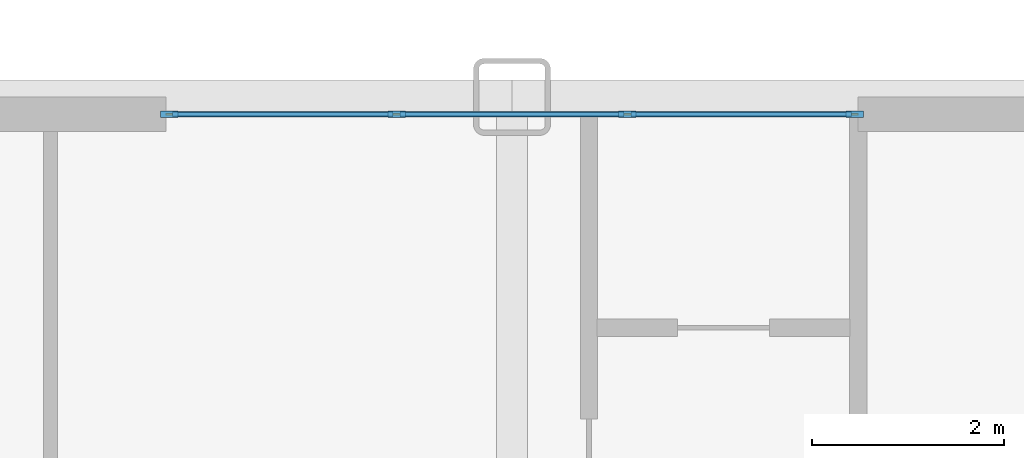
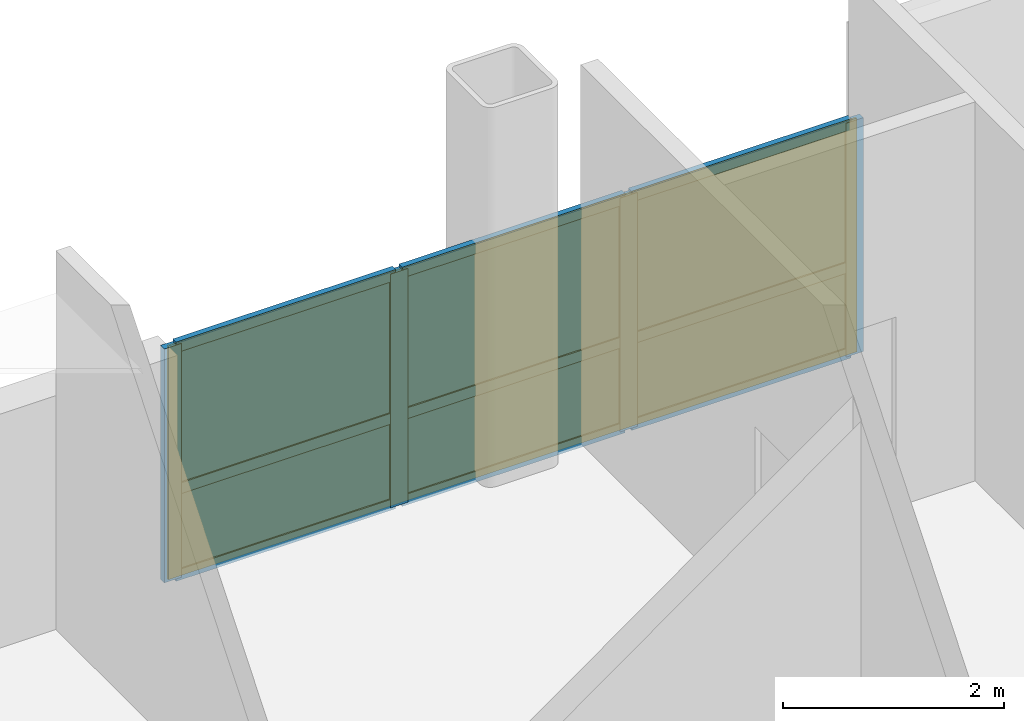
# One storey, part 10 of 14: 13 members, 6 plates, 1 curtain wall.
"""IFC4 building model written with IfcOpenShell, lengths in metres."""

import ifcopenshell
import ifcopenshell.guid

model = None  # the IFC model being written
_history = None  # IfcOwnerHistory: only IFC2X3 demands one
_inside = {}  # id of a spatial element -> (the spatial element, [elements in it])
_under = {}  # id of a project, library or spatial element -> (it, [spatial elements below it])
_declared = {}  # id of a project -> (the project, [libraries it declares])
_typed = {}  # id of a type object -> (the type object, [elements of that type])
_made_of = {}  # id of a material, layer set ... -> (it, [elements and type objects made of it])


def new_model(schema):
    """Start an empty IFC model of exactly this schema.

    Asked for "IFC4X3", IfcOpenShell would pick the latest addendum, in which some entities
    have other attributes; the version numbers below select the first issue.
    IFC2X3 requires an IfcOwnerHistory on every rooted entity: one is made here for all.
    """
    global model, _history
    if schema == "IFC4X3":
        model = ifcopenshell.file(schema_version=(4, 3, 0, 0))
    else:
        model = ifcopenshell.file(schema=schema)
    _inside.clear()
    _under.clear()
    _declared.clear()
    _typed.clear()
    _made_of.clear()
    _history = None
    if model.schema == "IFC2X3":
        org = make("IfcOrganization", Name="unknown")
        user = make(
            "IfcPersonAndOrganization",
            ThePerson=make("IfcPerson", FamilyName="unknown"),
            TheOrganization=org,
        )
        app = make(
            "IfcApplication",
            ApplicationDeveloper=org,
            Version="unknown",
            ApplicationFullName="unknown",
            ApplicationIdentifier="unknown",
        )
        _history = make(
            "IfcOwnerHistory",
            OwningUser=user,
            OwningApplication=app,
            ChangeAction="ADDED",
            CreationDate=0,
        )
    return model


def make(cls, **values):
    """One entity of the class cls with the attributes given. An attribute that is None is left unset."""
    return model.create_entity(
        cls, **{name: value for name, value in values.items() if value is not None}
    )


def rooted(cls, **values):
    """An entity with a GlobalId (a new one), such as an element, a storey or a relation."""
    return make(cls, GlobalId=ifcopenshell.guid.new(), OwnerHistory=_history, **values)


def si_unit(unit_type, name, prefix=None):
    """IfcSIUnit, for example si_unit("LENGTHUNIT", "METRE", prefix="MILLI")."""
    return make("IfcSIUnit", UnitType=unit_type, Prefix=prefix, Name=name)


def assignment(units):
    """IfcUnitAssignment: the units of a project."""
    return None if units is None else make("IfcUnitAssignment", Units=units)


def point(xyz):
    """IfcCartesianPoint."""
    return None if xyz is None else make("IfcCartesianPoint", Coordinates=xyz)


def direction(xyz):
    """IfcDirection."""
    return None if xyz is None else make("IfcDirection", DirectionRatios=xyz)


def frame(location, z_axis=None, x_axis=None):
    """IfcAxis2Placement3D, a coordinate frame: its origin and axes. An axis left out is left unset."""
    return make(
        "IfcAxis2Placement3D",
        Location=point(location),
        Axis=direction(z_axis),
        RefDirection=direction(x_axis),
    )


def frame_2d(location, x_axis=None):
    """IfcAxis2Placement2D, a coordinate frame in the plane: its origin and x axis."""
    return make(
        "IfcAxis2Placement2D", Location=point(location), RefDirection=direction(x_axis)
    )


def origin():
    """The frame at (0, 0, 0) with its axes left unset."""
    return frame((0.0, 0.0, 0.0))


def origin_2d():
    """The frame at (0, 0) in the plane with its x axis left unset."""
    return frame_2d((0.0, 0.0))


def place(relative_to, where):
    """IfcLocalPlacement: puts the frame where relative to a parent placement (None: the world)."""
    return make(
        "IfcLocalPlacement", PlacementRelTo=relative_to, RelativePlacement=where
    )


def context(
    kind, dimensions, precision=None, world=None, true_north=None, identifier=None
):
    """IfcGeometricRepresentationContext, for example the 3D "Model" context."""
    return make(
        "IfcGeometricRepresentationContext",
        ContextIdentifier=identifier,
        ContextType=kind,
        CoordinateSpaceDimension=dimensions,
        Precision=precision,
        WorldCoordinateSystem=world,
        TrueNorth=true_north,
    )


def subcontext(parent, identifier, kind, view, scale=None):
    """IfcGeometricRepresentationSubContext, for example "Body" below "Model"."""
    return make(
        "IfcGeometricRepresentationSubContext",
        ContextIdentifier=identifier,
        ContextType=kind,
        ParentContext=parent,
        TargetScale=scale,
        TargetView=view,
    )


def project(units=None, contexts=None):
    """IfcProject with its units and contexts."""
    return rooted(
        "IfcProject",
        Name="project",
        RepresentationContexts=contexts,
        UnitsInContext=assignment(units),
    )


def spatial(cls, under=None, at=None, **own):
    """A site, building, storey or space (cls), placed at a placement, below another one or the project."""
    s = rooted(cls, ObjectPlacement=at, **own)
    if under is not None:
        _under.setdefault(under.id(), (under, []))[1].append(s)
    return s


def profile(cls, at=None, kind="AREA", **sizes):
    """A parametric profile (cls). Its sizes go by their IFC names, for example OverallWidth=200.0."""
    return make(cls, ProfileType=kind, Position=at, **sizes)


def rectangle(**sizes):
    """IfcRectangleProfileDef."""
    return profile("IfcRectangleProfileDef", **sizes)


def extrude(swept, where, along, depth):
    """IfcExtrudedAreaSolid: the profile swept, set in the frame where, extruded along a direction by depth."""
    return make(
        "IfcExtrudedAreaSolid",
        SweptArea=swept,
        Position=where,
        ExtrudedDirection=direction(along),
        Depth=depth,
    )


def shape(context_of_items, identifier, shape_type, items):
    """IfcShapeRepresentation: the items that make up one representation, for example the "Body"."""
    return make(
        "IfcShapeRepresentation",
        ContextOfItems=context_of_items,
        RepresentationIdentifier=identifier,
        RepresentationType=shape_type,
        Items=items,
    )


def source(mapping_origin, context_of_items, identifier, shape_type, items):
    """IfcRepresentationMap: a shape defined once, which mapped items show again and again."""
    return make(
        "IfcRepresentationMap",
        MappingOrigin=mapping_origin,
        MappedRepresentation=shape(context_of_items, identifier, shape_type, items),
    )


def transform(
    local_origin,
    x_axis=None,
    y_axis=None,
    z_axis=None,
    scale=None,
    scale2=None,
    scale3=None,
    uniform=True,
):
    """IfcCartesianTransformationOperator3D, or its non-uniform kind. x_axis, y_axis, z_axis: its Axis1, 2, 3."""
    if uniform:
        return make(
            "IfcCartesianTransformationOperator3D",
            Axis1=direction(x_axis),
            Axis2=direction(y_axis),
            LocalOrigin=point(local_origin),
            Scale=scale,
            Axis3=direction(z_axis),
        )
    return make(
        "IfcCartesianTransformationOperator3DnonUniform",
        Axis1=direction(x_axis),
        Axis2=direction(y_axis),
        LocalOrigin=point(local_origin),
        Scale=scale,
        Axis3=direction(z_axis),
        Scale2=scale2,
        Scale3=scale3,
    )


def mapped(mapping_source, mapping_target):
    """IfcMappedItem: shows the shape of a source again, moved by a transform."""
    return make(
        "IfcMappedItem", MappingSource=mapping_source, MappingTarget=mapping_target
    )


def material(Name=None, Category=None):
    """IfcMaterial."""
    return make("IfcMaterial", Name=Name, Category=Category)


def layer(
    of_material, thickness, ventilated=None, Name=None, Category=None, Priority=None
):
    """IfcMaterialLayer: one layer of a wall or slab, of a material (None: an air gap)."""
    return make(
        "IfcMaterialLayer",
        Material=of_material,
        LayerThickness=thickness,
        IsVentilated=ventilated,
        Name=Name,
        Category=Category,
        Priority=Priority,
    )


def layer_set(layers, Name=None):
    """IfcMaterialLayerSet."""
    return make("IfcMaterialLayerSet", MaterialLayers=layers, LayerSetName=Name)


def material_profile(
    of_material, cross_section, Name=None, Category=None, Priority=None
):
    """IfcMaterialProfile: a cross section and its material."""
    return make(
        "IfcMaterialProfile",
        Name=Name,
        Material=of_material,
        Profile=cross_section,
        Priority=Priority,
        Category=Category,
    )


def profile_set(profiles, Name=None, composite=None):
    """IfcMaterialProfileSet."""
    return make(
        "IfcMaterialProfileSet",
        Name=Name,
        MaterialProfiles=profiles,
        CompositeProfile=composite,
    )


def made_of(thing, what):
    """Note that an element or type object is made of a material, layer set ...; save() writes the relation."""
    if what is not None:
        _made_of.setdefault(what.id(), (what, []))[1].append(thing)
    return thing


def type_object(cls, material=None, **own):
    """A type object (cls), such as IfcWallType, which elements share."""
    return made_of(rooted(cls, **own), material)


def type_shapes(of_type, sources):
    """Give a type object the sources (RepresentationMaps) that its elements show as mapped items."""
    of_type.RepresentationMaps = sources


def element(
    cls,
    number,
    at=None,
    inside=None,
    cuts=None,
    type_object=None,
    material=None,
    context=None,
    identifier="Body",
    shape_type=None,
    held_by="IfcProductDefinitionShape",
    body=None,
    shapes=None,
    **own,
):
    """One element of the class cls, such as IfcWall. Its Tag is "e" and its number.

    at: its placement. inside: the storey or other place that contains it. cuts: it is an
    opening in that element (IfcRelVoidsElement). A single representation is given by context,
    identifier, shape_type and body (its items); several are given by shapes. held_by: the class
    of the entity that holds the representations. save() writes the other relations.
    """
    e = rooted(cls, Tag="e%d" % number, ObjectPlacement=at, **own)
    if body is not None:
        shapes = [shape(context, identifier, shape_type, body)]
    if shapes is not None:
        e.Representation = make(held_by, Representations=shapes)
    if inside is not None:
        _inside.setdefault(inside.id(), (inside, []))[1].append(e)
    if cuts is not None:
        rooted(
            "IfcRelVoidsElement", RelatingBuildingElement=cuts, RelatedOpeningElement=e
        )
    if type_object is not None:
        _typed.setdefault(type_object.id(), (type_object, []))[1].append(e)
    return made_of(e, material)


def aggregate(whole, parts):
    """IfcRelAggregates: a whole, such as a stair, and the parts it consists of."""
    return rooted("IfcRelAggregates", RelatingObject=whole, RelatedObjects=parts)


def save(model, path):
    """Write the relations noted so far, then the file.

    IfcRelAggregates (storeys below a building ...), IfcRelContainedInSpatialStructure (elements
    in a storey), IfcRelDefinesByType, IfcRelAssociatesMaterial and IfcRelDeclares: one each for
    every whole, place, type object, material and project.
    """
    for whole, parts in _under.values():
        aggregate(whole, parts)
    for where, things in _inside.values():
        rooted(
            "IfcRelContainedInSpatialStructure",
            RelatedElements=things,
            RelatingStructure=where,
        )
    for kind, things in _typed.values():
        rooted("IfcRelDefinesByType", RelatedObjects=things, RelatingType=kind)
    for what, things in _made_of.values():
        rooted("IfcRelAssociatesMaterial", RelatedObjects=things, RelatingMaterial=what)
    for by, libraries in _declared.values():
        rooted("IfcRelDeclares", RelatingContext=by, RelatedDefinitions=libraries)
    model.write(path)


model = new_model("IFC4")

# Units and contexts
model_context = context("Model", 3, precision=1e-05, world=origin(), true_north=direction((0.0, 1.0)))
body_context = subcontext(model_context, "Body", "Model", "MODEL_VIEW")
ifc_project = project(units=[si_unit("LENGTHUNIT", "METRE"), si_unit("AREAUNIT", "SQUARE_METRE"), si_unit("VOLUMEUNIT", "CUBIC_METRE"), si_unit("PLANEANGLEUNIT", "RADIAN"), si_unit("MASSUNIT", "GRAM", prefix="KILO")], contexts=[model_context])

# Member
ifc_material_1 = material(Name="Anodised aluminium 6063-T6", Category="aluminium")
ifc_material_profile_1 = material_profile(ifc_material_1, rectangle(XDim=0.070068359375, YDim=0.179931640625, at=origin_2d()), Name="ALU-MULL-70x180")
ifc_profile_set_1 = profile_set([ifc_material_profile_1], Name="Anodised aluminium 6063-T6")
member_type_1 = type_object("IfcMemberType", Name="CWM-1", PredefinedType="MULLION", material=ifc_profile_set_1)
site_placement = place(None, origin())
building_placement = place(site_placement, origin())
storey_placement = place(building_placement, frame((0.0, 0.0, 13.800048828125)))
member_1_placement = place(storey_placement, frame((15.43505859375, 25.820068359375, 0.0), z_axis=(0.0, 0.0, 1.0), x_axis=(0.0, 1.0, 0.0)))
member_1 = element("IfcMember", 1, at=member_1_placement, type_object=member_type_1, Name="CWS-1 mullion 1", PredefinedType="MULLION", context=body_context, shape_type="SweptSolid", body=[
    extrude(rectangle(XDim=0.070068359375, YDim=0.179931640625, at=origin_2d()), origin(), (0.0, 0.0, 1.0), 2.5849609375),
])

member_2_placement = place(storey_placement, frame((17.800048828125, 25.820068359375, 0.0), z_axis=(0.0, 0.0, 1.0), x_axis=(0.0, 1.0, 0.0)))
member_2 = element("IfcMember", 2, at=member_2_placement, type_object=member_type_1, Name="CWS-1 mullion 2", PredefinedType="MULLION", context=body_context, shape_type="SweptSolid", body=[
    extrude(rectangle(XDim=0.070068359375, YDim=0.179931640625, at=origin_2d()), origin(), (0.0, 0.0, 1.0), 2.5849609375),
])

member_3_placement = place(storey_placement, frame((20.199951171875, 25.820068359375, 0.0), z_axis=(0.0, 0.0, 1.0), x_axis=(0.0, 1.0, 0.0)))
member_3 = element("IfcMember", 3, at=member_3_placement, type_object=member_type_1, Name="CWS-1 mullion 3", PredefinedType="MULLION", context=body_context, shape_type="SweptSolid", body=[
    extrude(rectangle(XDim=0.070068359375, YDim=0.179931640625, at=origin_2d()), origin(), (0.0, 0.0, 1.0), 2.5849609375),
])

member_4_placement = place(storey_placement, frame((22.56494140625, 25.820068359375, 0.0), z_axis=(0.0, 0.0, 1.0), x_axis=(0.0, 1.0, 0.0)))
member_4 = element("IfcMember", 4, at=member_4_placement, type_object=member_type_1, Name="CWS-1 mullion 4", PredefinedType="MULLION", context=body_context, shape_type="SweptSolid", body=[
    extrude(rectangle(XDim=0.070068359375, YDim=0.179931640625, at=origin_2d()), origin(), (0.0, 0.0, 1.0), 2.5849609375),
])

ifc_material_profile_2 = material_profile(ifc_material_1, rectangle(XDim=0.06005859375, YDim=0.1201171875, at=origin_2d()), Name="ALU-TRAN-60x120")
ifc_profile_set_2 = profile_set([ifc_material_profile_2], Name="Anodised aluminium 6063-T6")
member_type_2 = type_object("IfcMemberType", Name="CWT-1", PredefinedType="USERDEFINED", material=ifc_profile_set_2)
member_5_placement = place(storey_placement, frame((15.469970703125, 25.820068359375, 0.030029296875), z_axis=(1.0, 0.0, 0.0), x_axis=(0.0, 1.0, 0.0)))
member_5 = element("IfcMember", 5, at=member_5_placement, type_object=member_type_2, Name="CWS-1 transom 1.1", ObjectType="TRANSOM", PredefinedType="USERDEFINED", context=body_context, shape_type="SweptSolid", body=[
    extrude(rectangle(XDim=0.06005859375, YDim=0.1201171875, at=origin_2d()), origin(), (0.0, 0.0, 1.0), 2.294921875),
])

member_6_placement = place(storey_placement, frame((15.469970703125, 25.820068359375, 0.982177734375), z_axis=(1.0, 0.0, 0.0), x_axis=(0.0, 1.0, 0.0)))
member_6 = element("IfcMember", 6, at=member_6_placement, type_object=member_type_2, Name="CWS-1 transom 1.2", ObjectType="TRANSOM", PredefinedType="USERDEFINED", context=body_context, shape_type="SweptSolid", body=[
    extrude(rectangle(XDim=0.06005859375, YDim=0.1201171875, at=origin_2d()), origin(), (0.0, 0.0, 1.0), 2.294921875),
])

member_7_placement = place(storey_placement, frame((15.469970703125, 25.820068359375, 2.554931640625), z_axis=(1.0, 0.0, 0.0), x_axis=(0.0, 1.0, 0.0)))
member_7 = element("IfcMember", 7, at=member_7_placement, type_object=member_type_2, Name="CWS-1 transom 1.3", ObjectType="TRANSOM", PredefinedType="USERDEFINED", context=body_context, shape_type="SweptSolid", body=[
    extrude(rectangle(XDim=0.06005859375, YDim=0.1201171875, at=origin_2d()), origin(), (0.0, 0.0, 1.0), 2.294921875),
])

member_8_placement = place(storey_placement, frame((17.8349609375, 25.820068359375, 0.030029296875), z_axis=(1.0, 0.0, 0.0), x_axis=(0.0, 1.0, 0.0)))
member_8 = element("IfcMember", 8, at=member_8_placement, type_object=member_type_2, Name="CWS-1 transom 2.1", ObjectType="TRANSOM", PredefinedType="USERDEFINED", context=body_context, shape_type="SweptSolid", body=[
    extrude(rectangle(XDim=0.06005859375, YDim=0.1201171875, at=origin_2d()), origin(), (0.0, 0.0, 1.0), 2.330078125),
])

member_9_placement = place(storey_placement, frame((17.8349609375, 25.820068359375, 0.982177734375), z_axis=(1.0, 0.0, 0.0), x_axis=(0.0, 1.0, 0.0)))
member_9 = element("IfcMember", 9, at=member_9_placement, type_object=member_type_2, Name="CWS-1 transom 2.2", ObjectType="TRANSOM", PredefinedType="USERDEFINED", context=body_context, shape_type="SweptSolid", body=[
    extrude(rectangle(XDim=0.06005859375, YDim=0.1201171875, at=origin_2d()), origin(), (0.0, 0.0, 1.0), 2.330078125),
])

member_10_placement = place(storey_placement, frame((17.8349609375, 25.820068359375, 2.554931640625), z_axis=(1.0, 0.0, 0.0), x_axis=(0.0, 1.0, 0.0)))
member_10 = element("IfcMember", 10, at=member_10_placement, type_object=member_type_2, Name="CWS-1 transom 2.3", ObjectType="TRANSOM", PredefinedType="USERDEFINED", context=body_context, shape_type="SweptSolid", body=[
    extrude(rectangle(XDim=0.06005859375, YDim=0.1201171875, at=origin_2d()), origin(), (0.0, 0.0, 1.0), 2.330078125),
])

member_11_placement = place(storey_placement, frame((20.235107421875, 25.820068359375, 0.030029296875), z_axis=(1.0, 0.0, 0.0), x_axis=(0.0, 1.0, 0.0)))
member_11 = element("IfcMember", 11, at=member_11_placement, type_object=member_type_2, Name="CWS-1 transom 3.1", ObjectType="TRANSOM", PredefinedType="USERDEFINED", context=body_context, shape_type="SweptSolid", body=[
    extrude(rectangle(XDim=0.06005859375, YDim=0.1201171875, at=origin_2d()), origin(), (0.0, 0.0, 1.0), 2.294921875),
])

member_12_placement = place(storey_placement, frame((20.235107421875, 25.820068359375, 0.982177734375), z_axis=(1.0, 0.0, 0.0), x_axis=(0.0, 1.0, 0.0)))
member_12 = element("IfcMember", 12, at=member_12_placement, type_object=member_type_2, Name="CWS-1 transom 3.2", ObjectType="TRANSOM", PredefinedType="USERDEFINED", context=body_context, shape_type="SweptSolid", body=[
    extrude(rectangle(XDim=0.06005859375, YDim=0.1201171875, at=origin_2d()), origin(), (0.0, 0.0, 1.0), 2.294921875),
])

member_13_placement = place(storey_placement, frame((20.235107421875, 25.820068359375, 2.554931640625), z_axis=(1.0, 0.0, 0.0), x_axis=(0.0, 1.0, 0.0)))
member_13 = element("IfcMember", 13, at=member_13_placement, type_object=member_type_2, Name="CWS-1 transom 3.3", ObjectType="TRANSOM", PredefinedType="USERDEFINED", context=body_context, shape_type="SweptSolid", body=[
    extrude(rectangle(XDim=0.06005859375, YDim=0.1201171875, at=origin_2d()), origin(), (0.0, 0.0, 1.0), 2.294921875),
])

# Plate
ifc_material_2 = material(Name="Insulated solar-control glass", Category="glass")
ifc_layer_1 = layer(ifc_material_2, 0.031982421875, Name="CWP-1")
ifc_layer_set_1 = layer_set([ifc_layer_1], Name="Insulated solar-control glass")
plate_type = type_object("IfcPlateType", Name="CWP-1", PredefinedType="CURTAIN_PANEL", material=ifc_layer_set_1)
shared_shape_1 = source(origin(), body_context, "Body", "SweptSolid", [
    extrude(rectangle(XDim=2.294921875, YDim=0.031982421875, at=origin_2d()), origin(), (0.0, 0.0, 1.0), 0.892333984375),
])
plate_1_placement = place(storey_placement, frame((16.617431640625, 25.820068359375, 0.06005859375), z_axis=(0.0, 0.0, 1.0), x_axis=(1.0, 0.0, 0.0)))
plate_1 = element("IfcPlate", 14, at=plate_1_placement, type_object=plate_type, Name="CWS-1 panel 1.1", PredefinedType="CURTAIN_PANEL", context=body_context, shape_type="MappedRepresentation", body=[
    mapped(shared_shape_1, transform((0.0, 0.0, 0.0), scale=1.0)),
])

plate_2_placement = place(storey_placement, frame((21.382568359375, 25.820068359375, 0.06005859375), z_axis=(0.0, 0.0, 1.0), x_axis=(1.0, 0.0, 0.0)))
plate_2 = element("IfcPlate", 15, at=plate_2_placement, type_object=plate_type, Name="CWS-1 panel 3.1", PredefinedType="CURTAIN_PANEL", context=body_context, shape_type="MappedRepresentation", body=[
    mapped(shared_shape_1, transform((0.0, 0.0, 0.0), scale=1.0)),
])

shared_shape_2 = source(origin(), body_context, "Body", "SweptSolid", [
    extrude(rectangle(XDim=2.294921875, YDim=0.031982421875, at=origin_2d()), origin(), (0.0, 0.0, 1.0), 1.5126953125),
])
plate_3_placement = place(storey_placement, frame((16.617431640625, 25.820068359375, 1.01220703125), z_axis=(0.0, 0.0, 1.0), x_axis=(1.0, 0.0, 0.0)))
plate_3 = element("IfcPlate", 16, at=plate_3_placement, type_object=plate_type, Name="CWS-1 panel 1.2", PredefinedType="CURTAIN_PANEL", context=body_context, shape_type="MappedRepresentation", body=[
    mapped(shared_shape_2, transform((0.0, 0.0, 0.0), scale=1.0)),
])

plate_4_placement = place(storey_placement, frame((21.382568359375, 25.820068359375, 1.01220703125), z_axis=(0.0, 0.0, 1.0), x_axis=(1.0, 0.0, 0.0)))
plate_4 = element("IfcPlate", 17, at=plate_4_placement, type_object=plate_type, Name="CWS-1 panel 3.2", PredefinedType="CURTAIN_PANEL", context=body_context, shape_type="MappedRepresentation", body=[
    mapped(shared_shape_2, transform((0.0, 0.0, 0.0), scale=1.0)),
])

shared_shape_3 = source(origin(), body_context, "Body", "SweptSolid", [
    extrude(rectangle(XDim=2.330078125, YDim=0.031982421875, at=origin_2d()), origin(), (0.0, 0.0, 1.0), 0.892333984375),
])
plate_5_placement = place(storey_placement, frame((19.0, 25.820068359375, 0.06005859375), z_axis=(0.0, 0.0, 1.0), x_axis=(1.0, 0.0, 0.0)))
plate_5 = element("IfcPlate", 18, at=plate_5_placement, type_object=plate_type, Name="CWS-1 panel 2.1", PredefinedType="CURTAIN_PANEL", context=body_context, shape_type="MappedRepresentation", body=[
    mapped(shared_shape_3, transform((0.0, 0.0, 0.0), scale=1.0)),
])

shared_shape_4 = source(origin(), body_context, "Body", "SweptSolid", [
    extrude(rectangle(XDim=2.330078125, YDim=0.031982421875, at=origin_2d()), origin(), (0.0, 0.0, 1.0), 1.5126953125),
])
type_shapes(plate_type, [shared_shape_1, shared_shape_2, shared_shape_3, shared_shape_4])
plate_6_placement = place(storey_placement, frame((19.0, 25.820068359375, 1.01220703125), z_axis=(0.0, 0.0, 1.0), x_axis=(1.0, 0.0, 0.0)))
plate_6 = element("IfcPlate", 19, at=plate_6_placement, type_object=plate_type, Name="CWS-1 panel 2.2", PredefinedType="CURTAIN_PANEL", context=body_context, shape_type="MappedRepresentation", body=[
    mapped(shared_shape_4, transform((0.0, 0.0, 0.0), scale=1.0)),
])

# Site, building, storey
site = spatial("IfcSite", under=ifc_project, at=site_placement, CompositionType="ELEMENT")
building = spatial("IfcBuilding", under=site, at=building_placement, Name="Nuvemarco Arch Tower", CompositionType="ELEMENT")
storey = spatial("IfcBuildingStorey", under=building, at=storey_placement, Name="L03", CompositionType="ELEMENT", Elevation=13.800048828125)

# Curtain wall
ifc_layer_2 = layer(ifc_material_2, 0.179931640625, Name="CW-SYS-1")
ifc_layer_set_2 = layer_set([ifc_layer_2], Name="Insulated solar-control glass")
curtain_wall_type = type_object("IfcCurtainWallType", Name="CW-SYS-1", PredefinedType="NOTDEFINED", material=ifc_layer_set_2)
curtain_wall_placement = place(storey_placement, frame((15.39990234375, 25.820068359375, 0.0), z_axis=(0.0, 0.0, 1.0), x_axis=(1.0, 0.0, 0.0)))
curtain_wall = element("IfcCurtainWall", 20, at=curtain_wall_placement, inside=storey, type_object=curtain_wall_type, Name="L03 curtain wall CWS-1", PredefinedType="NOTDEFINED", context=body_context, shape_type="SweptSolid", body=[
    extrude(rectangle(XDim=7.2001953125, YDim=0.02001953125, at=frame_2d((3.60009765625, 0.0))), origin(), (0.0, 0.0, 1.0), 2.5849609375),
])

aggregate(curtain_wall, [member_1, member_2, member_3, member_4, member_5, member_6, member_7, plate_1, plate_3, member_8, member_9, member_10, plate_5, plate_6, member_11, member_12, member_13, plate_2, plate_4])

save(model, "model.ifc")
